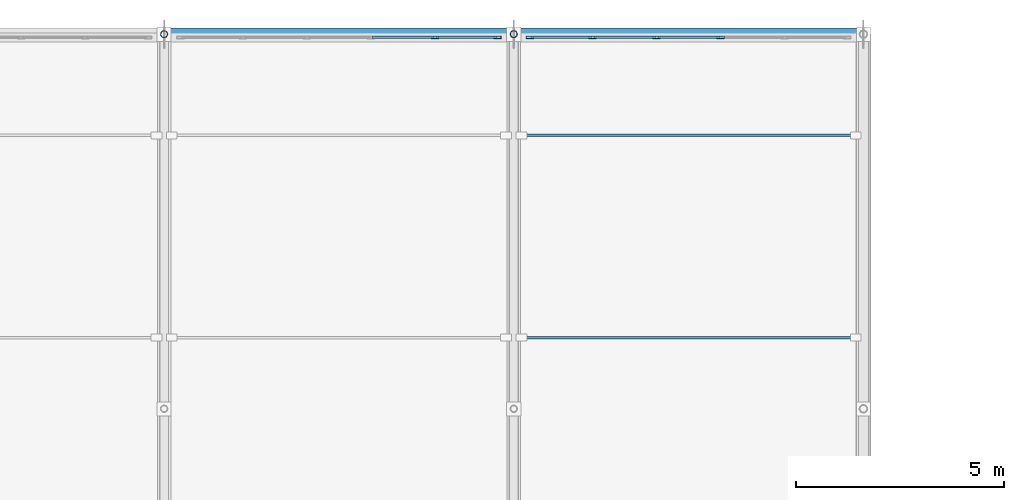
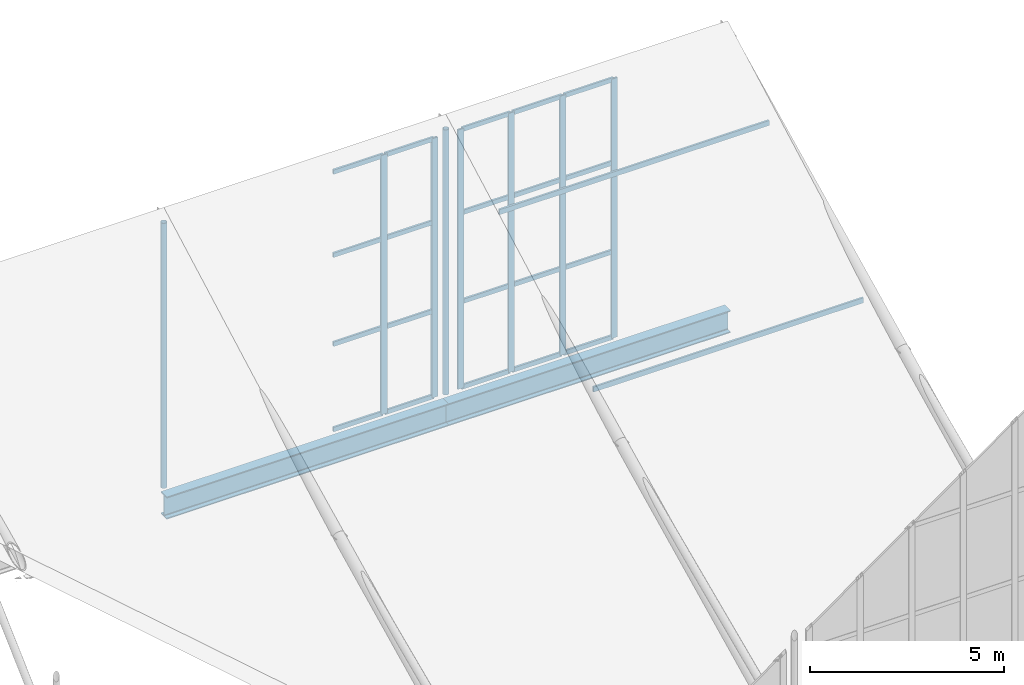
# One storey, part 27 of 38: 30 members, 2 beams, 2 elements without a shape of their own.
"""IFC4 building model written with IfcOpenShell, lengths in metres."""

from ifc_helpers import new_model, si_unit, direction, frame, origin, origin_2d, place, context, subcontext, project, spatial, hollow_rectangle, hollow_circle, i_section, extrude, material, material_profile, profile_set, type_object, element, aggregate, save


model = new_model("IFC4")

# Units and contexts
model_context = context("Model", 3, precision=1e-05, world=origin(), true_north=direction((0.0, 1.0)))
body_context = subcontext(model_context, "Body", "Model", "MODEL_VIEW")
ifc_project = project(units=[si_unit("LENGTHUNIT", "METRE"), si_unit("AREAUNIT", "SQUARE_METRE"), si_unit("VOLUMEUNIT", "CUBIC_METRE"), si_unit("PLANEANGLEUNIT", "RADIAN"), si_unit("MASSUNIT", "GRAM", prefix="KILO")], contexts=[model_context])

# Site, building, storey
site_placement = place(None, origin())
site = spatial("IfcSite", under=ifc_project, at=site_placement, CompositionType="ELEMENT")
building_placement = place(site_placement, origin())
building = spatial("IfcBuilding", under=site, at=building_placement, Name="Veltarok Museum of Natural Sciences", CompositionType="ELEMENT")
storey_placement = place(building_placement, frame((0.0, 0.0, 31.199951171875)))
storey = spatial("IfcBuildingStorey", under=building, at=storey_placement, Name="RF", CompositionType="ELEMENT", Elevation=31.199951171875)

# Beams
ifc_material_1 = material(Name="Steel S355J2", Category="steel")
ifc_material_profile_1 = material_profile(ifc_material_1, i_section(OverallWidth=0.300048828125, OverallDepth=0.699951171875, WebThickness=0.01708984375, FlangeThickness=0.031982421875, FilletRadius=0.027099609375, at=origin_2d()), Name="HEB 700")
ifc_profile_set_1 = profile_set([ifc_material_profile_1], Name="Steel S355J2")
beam_type = type_object("IfcBeamType", Name="Long-Span Hall Girder HEB 700", PredefinedType="BEAM", material=ifc_profile_set_1)
beam_1_placement = place(storey_placement, frame((82.0, 72.0, -6.389892578125), z_axis=(1.0, 0.0, 0.0), x_axis=(0.0, 1.0, 0.0)))
element("IfcBeam", 1, at=beam_1_placement, inside=storey, type_object=beam_type, Name="Sawtooth Valley Girder 10-11 Y=72.0", PredefinedType="BEAM", context=body_context, shape_type="SweptSolid", body=[
    extrude(i_section(OverallWidth=0.300048828125, OverallDepth=0.699951171875, WebThickness=0.01708984375, FlangeThickness=0.031982421875, FilletRadius=0.027099609375, at=origin_2d()), origin(), (0.0, 0.0, 1.0), 8.39990234375),
])
beam_2_placement = place(storey_placement, frame((90.39990234375, 72.0, -6.389892578125), z_axis=(1.0, 0.0, 0.0), x_axis=(0.0, 1.0, 0.0)))
element("IfcBeam", 2, at=beam_2_placement, inside=storey, type_object=beam_type, Name="Sawtooth Valley Girder 11-12 Y=72.0", PredefinedType="BEAM", context=body_context, shape_type="SweptSolid", body=[
    extrude(i_section(OverallWidth=0.300048828125, OverallDepth=0.699951171875, WebThickness=0.01708984375, FlangeThickness=0.031982421875, FilletRadius=0.027099609375, at=origin_2d()), origin(), (0.0, 0.0, 1.0), 8.400146484375),
])

# Curtain wall, members
ifc_material_2 = material(Name="Low-iron triple insulated glass", Category="glass")
curtain_wall_type = type_object("IfcCurtainWallType", Name="Curtain Wall System CW-SAW-M2-768x817 (Sawtooth North Clerestory M2 768x817cm)", PredefinedType="NOTDEFINED", material=ifc_material_2)
curtain_wall_1_placement = place(storey_placement, origin())
curtain_wall_1 = element("IfcCurtainWall", 3, at=curtain_wall_1_placement, inside=storey, type_object=curtain_wall_type, Name="Curtain Wall CW-SAW-M2-768x817 CW-SAW-0083", PredefinedType="NOTDEFINED")
ifc_material_3 = material(Name="Thermally broken anodised aluminium", Category="aluminium")
ifc_material_profile_2 = material_profile(ifc_material_3, hollow_rectangle(XDim=0.06005859375, YDim=0.179931640625, WallThickness=0.006103515625, at=origin_2d()), Name="CW MULLION 60x180x6")
ifc_profile_set_2 = profile_set([ifc_material_profile_2], Name="Thermally broken anodised aluminium")
member_type_1 = type_object("IfcMemberType", Name="Sawtooth Clerestory Mullion 60x180x6", PredefinedType="MULLION", material=ifc_profile_set_2)
member_1_placement = place(storey_placement, frame((90.010009765625, 71.919921875, -5.719970703125), z_axis=(0.0, 0.0, 1.0), x_axis=(0.0, -1.0, 0.0)))
member_1 = element("IfcMember", 4, at=member_1_placement, type_object=member_type_1, Name="CW-SAW-M2-768x817 mullion 1", PredefinedType="MULLION", context=body_context, shape_type="SweptSolid", body=[
    extrude(hollow_rectangle(XDim=0.06005859375, YDim=0.179931640625, WallThickness=0.006103515625, at=origin_2d()), origin(), (0.0, 0.0, 1.0), 8.169921875),
])
member_2_placement = place(storey_placement, frame((88.50390625, 71.919921875, -5.719970703125), z_axis=(0.0, 0.0, 1.0), x_axis=(0.0, -1.0, 0.0)))
member_2 = element("IfcMember", 5, at=member_2_placement, type_object=member_type_1, Name="CW-SAW-M2-768x817 mullion 2", PredefinedType="MULLION", context=body_context, shape_type="SweptSolid", body=[
    extrude(hollow_rectangle(XDim=0.06005859375, YDim=0.179931640625, WallThickness=0.006103515625, at=origin_2d()), origin(), (0.0, 0.0, 1.0), 8.169921875),
])

curtain_wall_2_placement = place(storey_placement, origin())
curtain_wall_2 = element("IfcCurtainWall", 6, at=curtain_wall_2_placement, inside=storey, type_object=curtain_wall_type, Name="Curtain Wall CW-SAW-M2-768x817 CW-SAW-0085", PredefinedType="NOTDEFINED")
member_3_placement = place(storey_placement, frame((95.367919921875, 71.919921875, -5.719970703125), z_axis=(0.0, 0.0, 1.0), x_axis=(0.0, -1.0, 0.0)))
member_3 = element("IfcMember", 7, at=member_3_placement, type_object=member_type_1, Name="CW-SAW-M2-768x817 mullion 3", PredefinedType="MULLION", context=body_context, shape_type="SweptSolid", body=[
    extrude(hollow_rectangle(XDim=0.06005859375, YDim=0.179931640625, WallThickness=0.006103515625, at=origin_2d()), origin(), (0.0, 0.0, 1.0), 8.169921875),
])
member_4_placement = place(storey_placement, frame((93.83203125, 71.919921875, -5.719970703125), z_axis=(0.0, 0.0, 1.0), x_axis=(0.0, -1.0, 0.0)))
member_4 = element("IfcMember", 8, at=member_4_placement, type_object=member_type_1, Name="CW-SAW-M2-768x817 mullion 4", PredefinedType="MULLION", context=body_context, shape_type="SweptSolid", body=[
    extrude(hollow_rectangle(XDim=0.06005859375, YDim=0.179931640625, WallThickness=0.006103515625, at=origin_2d()), origin(), (0.0, 0.0, 1.0), 8.169921875),
])
member_5_placement = place(storey_placement, frame((92.2958984375, 71.919921875, -5.719970703125), z_axis=(0.0, 0.0, 1.0), x_axis=(0.0, -1.0, 0.0)))
member_5 = element("IfcMember", 9, at=member_5_placement, type_object=member_type_1, Name="CW-SAW-M2-768x817 mullion 5", PredefinedType="MULLION", context=body_context, shape_type="SweptSolid", body=[
    extrude(hollow_rectangle(XDim=0.06005859375, YDim=0.179931640625, WallThickness=0.006103515625, at=origin_2d()), origin(), (0.0, 0.0, 1.0), 8.169921875),
])
member_6_placement = place(storey_placement, frame((90.7900390625, 71.919921875, -5.719970703125), z_axis=(0.0, 0.0, 1.0), x_axis=(0.0, -1.0, 0.0)))
member_6 = element("IfcMember", 10, at=member_6_placement, type_object=member_type_1, Name="CW-SAW-M2-768x817 mullion 6", PredefinedType="MULLION", context=body_context, shape_type="SweptSolid", body=[
    extrude(hollow_rectangle(XDim=0.06005859375, YDim=0.179931640625, WallThickness=0.006103515625, at=origin_2d()), origin(), (0.0, 0.0, 1.0), 8.169921875),
])

# Member
ifc_material_profile_3 = material_profile(ifc_material_3, hollow_rectangle(XDim=0.06005859375, YDim=0.139892578125, WallThickness=0.0048828125, at=origin_2d()), Name="CW TRANSOM 60x140x5")
ifc_profile_set_3 = profile_set([ifc_material_profile_3], Name="Thermally broken anodised aluminium")
member_type_2 = type_object("IfcMemberType", Name="Sawtooth Clerestory Transom 60x140x5", PredefinedType="USERDEFINED", material=ifc_profile_set_3)
member_7_placement = place(storey_placement, frame((89.97998046875, 71.919921875, -5.68994140625), z_axis=(-1.0, 0.0, 0.0), x_axis=(0.0, -1.0, 0.0)))
member_7 = element("IfcMember", 11, at=member_7_placement, type_object=member_type_2, Name="CW-SAW-M2-768x817 transom 1.1", ObjectType="TRANSOM", PredefinedType="USERDEFINED", context=body_context, shape_type="SweptSolid", body=[
    extrude(hollow_rectangle(XDim=0.06005859375, YDim=0.139892578125, WallThickness=0.0048828125, at=origin_2d()), origin(), (0.0, 0.0, 1.0), 1.446044921875),
])

member_8_placement = place(storey_placement, frame((89.97998046875, 71.919921875, -3.0), z_axis=(-1.0, 0.0, 0.0), x_axis=(0.0, -1.0, 0.0)))
member_8 = element("IfcMember", 12, at=member_8_placement, type_object=member_type_2, Name="CW-SAW-M2-768x817 transom 1.2", ObjectType="TRANSOM", PredefinedType="USERDEFINED", context=body_context, shape_type="SweptSolid", body=[
    extrude(hollow_rectangle(XDim=0.06005859375, YDim=0.139892578125, WallThickness=0.0048828125, at=origin_2d()), origin(), (0.0, 0.0, 1.0), 1.446044921875),
])

member_9_placement = place(storey_placement, frame((89.97998046875, 71.919921875, -0.199951171875), z_axis=(-1.0, 0.0, 0.0), x_axis=(0.0, -1.0, 0.0)))
member_9 = element("IfcMember", 13, at=member_9_placement, type_object=member_type_2, Name="CW-SAW-M2-768x817 transom 1.3", ObjectType="TRANSOM", PredefinedType="USERDEFINED", context=body_context, shape_type="SweptSolid", body=[
    extrude(hollow_rectangle(XDim=0.06005859375, YDim=0.139892578125, WallThickness=0.0048828125, at=origin_2d()), origin(), (0.0, 0.0, 1.0), 1.446044921875),
])

member_10_placement = place(storey_placement, frame((89.97998046875, 71.919921875, 2.420166015625), z_axis=(-1.0, 0.0, 0.0), x_axis=(0.0, -1.0, 0.0)))
member_10 = element("IfcMember", 14, at=member_10_placement, type_object=member_type_2, Name="CW-SAW-M2-768x817 transom 1.4", ObjectType="TRANSOM", PredefinedType="USERDEFINED", context=body_context, shape_type="SweptSolid", body=[
    extrude(hollow_rectangle(XDim=0.06005859375, YDim=0.139892578125, WallThickness=0.0048828125, at=origin_2d()), origin(), (0.0, 0.0, 1.0), 1.446044921875),
])

member_11_placement = place(storey_placement, frame((88.47412109375, 71.919921875, -5.68994140625), z_axis=(-1.0, 0.0, 0.0), x_axis=(0.0, -1.0, 0.0)))
member_11 = element("IfcMember", 15, at=member_11_placement, type_object=member_type_2, Name="CW-SAW-M2-768x817 transom 2.1", ObjectType="TRANSOM", PredefinedType="USERDEFINED", context=body_context, shape_type="SweptSolid", body=[
    extrude(hollow_rectangle(XDim=0.06005859375, YDim=0.139892578125, WallThickness=0.0048828125, at=origin_2d()), origin(), (0.0, 0.0, 1.0), 1.47607421875),
])

member_12_placement = place(storey_placement, frame((88.47412109375, 71.919921875, -3.0), z_axis=(-1.0, 0.0, 0.0), x_axis=(0.0, -1.0, 0.0)))
member_12 = element("IfcMember", 16, at=member_12_placement, type_object=member_type_2, Name="CW-SAW-M2-768x817 transom 2.2", ObjectType="TRANSOM", PredefinedType="USERDEFINED", context=body_context, shape_type="SweptSolid", body=[
    extrude(hollow_rectangle(XDim=0.06005859375, YDim=0.139892578125, WallThickness=0.0048828125, at=origin_2d()), origin(), (0.0, 0.0, 1.0), 1.47607421875),
])

member_13_placement = place(storey_placement, frame((88.47412109375, 71.919921875, -0.199951171875), z_axis=(-1.0, 0.0, 0.0), x_axis=(0.0, -1.0, 0.0)))
member_13 = element("IfcMember", 17, at=member_13_placement, type_object=member_type_2, Name="CW-SAW-M2-768x817 transom 2.3", ObjectType="TRANSOM", PredefinedType="USERDEFINED", context=body_context, shape_type="SweptSolid", body=[
    extrude(hollow_rectangle(XDim=0.06005859375, YDim=0.139892578125, WallThickness=0.0048828125, at=origin_2d()), origin(), (0.0, 0.0, 1.0), 1.47607421875),
])

member_14_placement = place(storey_placement, frame((88.47412109375, 71.919921875, 2.420166015625), z_axis=(-1.0, 0.0, 0.0), x_axis=(0.0, -1.0, 0.0)))
member_14 = element("IfcMember", 18, at=member_14_placement, type_object=member_type_2, Name="CW-SAW-M2-768x817 transom 2.4", ObjectType="TRANSOM", PredefinedType="USERDEFINED", context=body_context, shape_type="SweptSolid", body=[
    extrude(hollow_rectangle(XDim=0.06005859375, YDim=0.139892578125, WallThickness=0.0048828125, at=origin_2d()), origin(), (0.0, 0.0, 1.0), 1.47607421875),
])

aggregate(curtain_wall_1, [member_1, member_2, member_7, member_8, member_9, member_10, member_11, member_12, member_13, member_14])

member_15_placement = place(storey_placement, frame((95.337890625, 71.919921875, -5.68994140625), z_axis=(-1.0, 0.0, 0.0), x_axis=(0.0, -1.0, 0.0)))
member_15 = element("IfcMember", 19, at=member_15_placement, type_object=member_type_2, Name="CW-SAW-M2-768x817 transom 3.1", ObjectType="TRANSOM", PredefinedType="USERDEFINED", context=body_context, shape_type="SweptSolid", body=[
    extrude(hollow_rectangle(XDim=0.06005859375, YDim=0.139892578125, WallThickness=0.0048828125, at=origin_2d()), origin(), (0.0, 0.0, 1.0), 1.475830078125),
])

member_16_placement = place(storey_placement, frame((95.337890625, 71.919921875, -3.0), z_axis=(-1.0, 0.0, 0.0), x_axis=(0.0, -1.0, 0.0)))
member_16 = element("IfcMember", 20, at=member_16_placement, type_object=member_type_2, Name="CW-SAW-M2-768x817 transom 3.2", ObjectType="TRANSOM", PredefinedType="USERDEFINED", context=body_context, shape_type="SweptSolid", body=[
    extrude(hollow_rectangle(XDim=0.06005859375, YDim=0.139892578125, WallThickness=0.0048828125, at=origin_2d()), origin(), (0.0, 0.0, 1.0), 1.475830078125),
])

member_17_placement = place(storey_placement, frame((95.337890625, 71.919921875, -0.199951171875), z_axis=(-1.0, 0.0, 0.0), x_axis=(0.0, -1.0, 0.0)))
member_17 = element("IfcMember", 21, at=member_17_placement, type_object=member_type_2, Name="CW-SAW-M2-768x817 transom 3.3", ObjectType="TRANSOM", PredefinedType="USERDEFINED", context=body_context, shape_type="SweptSolid", body=[
    extrude(hollow_rectangle(XDim=0.06005859375, YDim=0.139892578125, WallThickness=0.0048828125, at=origin_2d()), origin(), (0.0, 0.0, 1.0), 1.475830078125),
])

member_18_placement = place(storey_placement, frame((95.337890625, 71.919921875, 2.420166015625), z_axis=(-1.0, 0.0, 0.0), x_axis=(0.0, -1.0, 0.0)))
member_18 = element("IfcMember", 22, at=member_18_placement, type_object=member_type_2, Name="CW-SAW-M2-768x817 transom 3.4", ObjectType="TRANSOM", PredefinedType="USERDEFINED", context=body_context, shape_type="SweptSolid", body=[
    extrude(hollow_rectangle(XDim=0.06005859375, YDim=0.139892578125, WallThickness=0.0048828125, at=origin_2d()), origin(), (0.0, 0.0, 1.0), 1.475830078125),
])

member_19_placement = place(storey_placement, frame((93.802001953125, 71.919921875, -5.68994140625), z_axis=(-1.0, 0.0, 0.0), x_axis=(0.0, -1.0, 0.0)))
member_19 = element("IfcMember", 23, at=member_19_placement, type_object=member_type_2, Name="CW-SAW-M2-768x817 transom 4.1", ObjectType="TRANSOM", PredefinedType="USERDEFINED", context=body_context, shape_type="SweptSolid", body=[
    extrude(hollow_rectangle(XDim=0.06005859375, YDim=0.139892578125, WallThickness=0.0048828125, at=origin_2d()), origin(), (0.0, 0.0, 1.0), 1.47607421875),
])

member_20_placement = place(storey_placement, frame((93.802001953125, 71.919921875, -3.0), z_axis=(-1.0, 0.0, 0.0), x_axis=(0.0, -1.0, 0.0)))
member_20 = element("IfcMember", 24, at=member_20_placement, type_object=member_type_2, Name="CW-SAW-M2-768x817 transom 4.2", ObjectType="TRANSOM", PredefinedType="USERDEFINED", context=body_context, shape_type="SweptSolid", body=[
    extrude(hollow_rectangle(XDim=0.06005859375, YDim=0.139892578125, WallThickness=0.0048828125, at=origin_2d()), origin(), (0.0, 0.0, 1.0), 1.47607421875),
])

member_21_placement = place(storey_placement, frame((93.802001953125, 71.919921875, -0.199951171875), z_axis=(-1.0, 0.0, 0.0), x_axis=(0.0, -1.0, 0.0)))
member_21 = element("IfcMember", 25, at=member_21_placement, type_object=member_type_2, Name="CW-SAW-M2-768x817 transom 4.3", ObjectType="TRANSOM", PredefinedType="USERDEFINED", context=body_context, shape_type="SweptSolid", body=[
    extrude(hollow_rectangle(XDim=0.06005859375, YDim=0.139892578125, WallThickness=0.0048828125, at=origin_2d()), origin(), (0.0, 0.0, 1.0), 1.47607421875),
])

member_22_placement = place(storey_placement, frame((93.802001953125, 71.919921875, 2.420166015625), z_axis=(-1.0, 0.0, 0.0), x_axis=(0.0, -1.0, 0.0)))
member_22 = element("IfcMember", 26, at=member_22_placement, type_object=member_type_2, Name="CW-SAW-M2-768x817 transom 4.4", ObjectType="TRANSOM", PredefinedType="USERDEFINED", context=body_context, shape_type="SweptSolid", body=[
    extrude(hollow_rectangle(XDim=0.06005859375, YDim=0.139892578125, WallThickness=0.0048828125, at=origin_2d()), origin(), (0.0, 0.0, 1.0), 1.47607421875),
])

member_23_placement = place(storey_placement, frame((92.26611328125, 71.919921875, -5.68994140625), z_axis=(-1.0, 0.0, 0.0), x_axis=(0.0, -1.0, 0.0)))
member_23 = element("IfcMember", 27, at=member_23_placement, type_object=member_type_2, Name="CW-SAW-M2-768x817 transom 5.1", ObjectType="TRANSOM", PredefinedType="USERDEFINED", context=body_context, shape_type="SweptSolid", body=[
    extrude(hollow_rectangle(XDim=0.06005859375, YDim=0.139892578125, WallThickness=0.0048828125, at=origin_2d()), origin(), (0.0, 0.0, 1.0), 1.446044921875),
])

member_24_placement = place(storey_placement, frame((92.26611328125, 71.919921875, -3.0), z_axis=(-1.0, 0.0, 0.0), x_axis=(0.0, -1.0, 0.0)))
member_24 = element("IfcMember", 28, at=member_24_placement, type_object=member_type_2, Name="CW-SAW-M2-768x817 transom 5.2", ObjectType="TRANSOM", PredefinedType="USERDEFINED", context=body_context, shape_type="SweptSolid", body=[
    extrude(hollow_rectangle(XDim=0.06005859375, YDim=0.139892578125, WallThickness=0.0048828125, at=origin_2d()), origin(), (0.0, 0.0, 1.0), 1.446044921875),
])

member_25_placement = place(storey_placement, frame((92.26611328125, 71.919921875, -0.199951171875), z_axis=(-1.0, 0.0, 0.0), x_axis=(0.0, -1.0, 0.0)))
member_25 = element("IfcMember", 29, at=member_25_placement, type_object=member_type_2, Name="CW-SAW-M2-768x817 transom 5.3", ObjectType="TRANSOM", PredefinedType="USERDEFINED", context=body_context, shape_type="SweptSolid", body=[
    extrude(hollow_rectangle(XDim=0.06005859375, YDim=0.139892578125, WallThickness=0.0048828125, at=origin_2d()), origin(), (0.0, 0.0, 1.0), 1.446044921875),
])

member_26_placement = place(storey_placement, frame((92.26611328125, 71.919921875, 2.420166015625), z_axis=(-1.0, 0.0, 0.0), x_axis=(0.0, -1.0, 0.0)))
member_26 = element("IfcMember", 30, at=member_26_placement, type_object=member_type_2, Name="CW-SAW-M2-768x817 transom 5.4", ObjectType="TRANSOM", PredefinedType="USERDEFINED", context=body_context, shape_type="SweptSolid", body=[
    extrude(hollow_rectangle(XDim=0.06005859375, YDim=0.139892578125, WallThickness=0.0048828125, at=origin_2d()), origin(), (0.0, 0.0, 1.0), 1.446044921875),
])

aggregate(curtain_wall_2, [member_3, member_4, member_5, member_6, member_15, member_16, member_17, member_18, member_19, member_20, member_21, member_22, member_23, member_24, member_25, member_26])

# Members
ifc_material_profile_4 = material_profile(ifc_material_1, hollow_rectangle(XDim=0.06005859375, YDim=0.159912109375, WallThickness=0.0048828125, at=origin_2d()), Name="RHS 160x60x5")
ifc_profile_set_4 = profile_set([ifc_material_profile_4], Name="Steel S355J2")
member_type_3 = type_object("IfcMemberType", Name="Sawtooth Roof Purlin RHS 160x60x5", PredefinedType="PURLIN", material=ifc_profile_set_4)
for number, where, z_axis, x_axis, name in (
    (31, (90.580078125, 64.7099609375, -1.310302734375), (1.0, 0.0, 0.0), (0.0, 1.0, 0.0), "Sawtooth Purlin 11-12 M2"),
    (32, (90.580078125, 69.570068359375, 1.32958984375), (1.0, 0.0, 0.0), (0.0, 1.0, 0.0), "Sawtooth Purlin 11-12 M2"),
):
    element("IfcMember", number, at=place(storey_placement, frame(where, z_axis=z_axis, x_axis=x_axis)), inside=storey, type_object=member_type_3, Name=name, PredefinedType="PURLIN", context=body_context, shape_type="SweptSolid", body=[
        extrude(hollow_rectangle(XDim=0.06005859375, YDim=0.159912109375, WallThickness=0.0048828125, at=origin_2d()), origin(), (0.0, 0.0, 1.0), 8.0400390625),
    ])
ifc_material_4 = material(Name="Oxide-red painted Steel S355J2", Category="steel")
ifc_material_profile_5 = material_profile(ifc_material_4, hollow_circle(Radius=0.084228515625, WallThickness=0.008056640625, at=origin_2d()), Name="CHS 168.3x8")
ifc_profile_set_5 = profile_set([ifc_material_profile_5], Name="Oxide-red painted Steel S355J2")
member_type_4 = type_object("IfcMemberType", Name="Sawtooth Truss Vertical Strut CHS 168.3x8", PredefinedType="STRUT", material=ifc_profile_set_5)
for number, where, z_axis, x_axis, name in (
    (33, (82.0, 72.0, -5.800048828125), (0.0, 0.0, 1.0), (1.0, 0.0, 0.0), "Roof Truss Strut 10 M2"),
    (34, (90.39990234375, 72.0, -5.800048828125), (0.0, 0.0, 1.0), (1.0, 0.0, 0.0), "Roof Truss Strut 11 M2"),
):
    element("IfcMember", number, at=place(storey_placement, frame(where, z_axis=z_axis, x_axis=x_axis)), inside=storey, type_object=member_type_4, Name=name, PredefinedType="STRUT", context=body_context, shape_type="SweptSolid", body=[
        extrude(hollow_circle(Radius=0.084228515625, WallThickness=0.008056640625, at=origin_2d()), origin(), (0.0, 0.0, 1.0), 8.35009765625),
    ])

save(model, "model.ifc")
